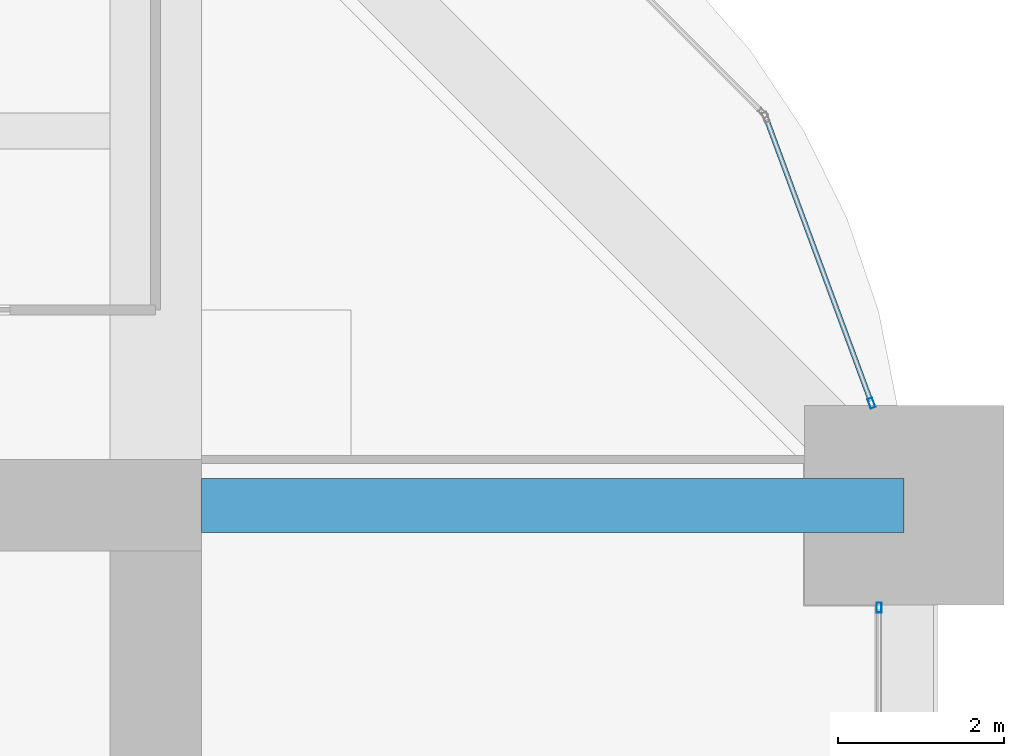
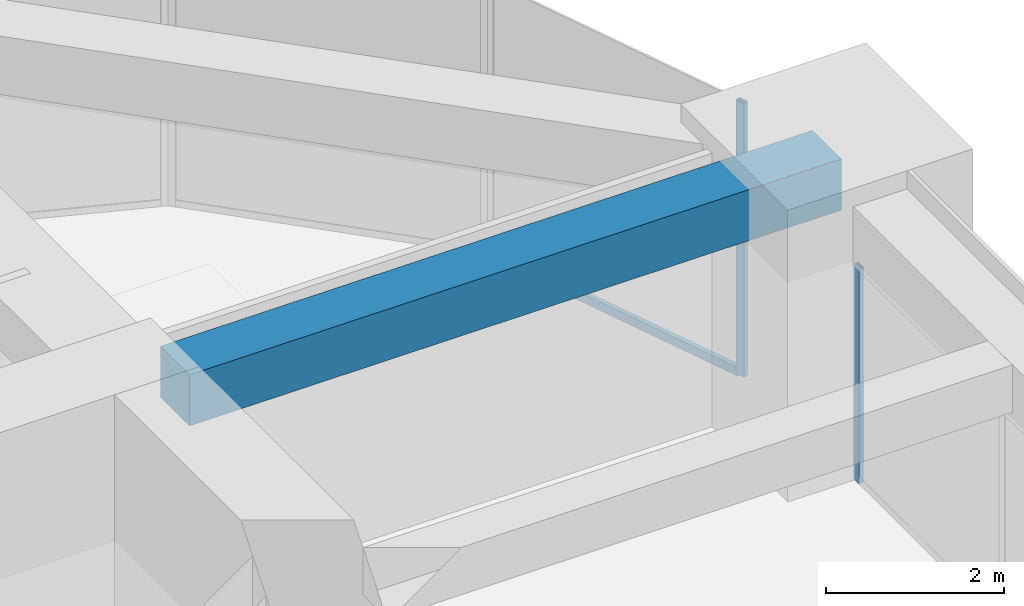
# One storey, part 37 of 45: 3 members, 1 beam, 2 elements without a shape of their own.
"""IFC4 building model written with IfcOpenShell, lengths in metres."""

from ifc_helpers import new_model, si_unit, direction, frame, origin, origin_2d, place, context, subcontext, project, spatial, rectangle, hollow_rectangle, extrude, material, material_profile, profile_set, type_object, element, aggregate, save


model = new_model("IFC4")

# Units and contexts
model_context = context("Model", 3, precision=1e-05, world=origin(), true_north=direction((0.0, 1.0)))
body_context = subcontext(model_context, "Body", "Model", "MODEL_VIEW")
ifc_project = project(units=[si_unit("LENGTHUNIT", "METRE"), si_unit("AREAUNIT", "SQUARE_METRE"), si_unit("VOLUMEUNIT", "CUBIC_METRE"), si_unit("PLANEANGLEUNIT", "RADIAN"), si_unit("MASSUNIT", "GRAM", prefix="KILO")], contexts=[model_context])

# Site, building, storey
site_placement = place(None, origin())
site = spatial("IfcSite", under=ifc_project, at=site_placement, CompositionType="ELEMENT")
building_placement = place(site_placement, origin())
building = spatial("IfcBuilding", under=site, at=building_placement, Name="Zorevar Civic Tower", CompositionType="ELEMENT")
storey_placement = place(building_placement, frame((0.0, 0.0, 247.39990234375)))
storey = spatial("IfcBuildingStorey", under=building, at=storey_placement, Name="L60", CompositionType="ELEMENT", Elevation=247.39990234375)

# Beam
ifc_material_1 = material(Name="Concrete C50/60", Category="concrete")
ifc_material_profile_1 = material_profile(ifc_material_1, rectangle(XDim=0.64990234375, YDim=0.699951171875, at=origin_2d()), Name="RC 650x700")
ifc_profile_set_1 = profile_set([ifc_material_profile_1], Name="Concrete C50/60")
beam_type = type_object("IfcBeamType", Name="Beam RC 650x700", PredefinedType="BEAM", material=ifc_profile_set_1)
beam_placement = place(storey_placement, frame((45.550048828125, 36.0, 3.400146484375), z_axis=(1.0, 0.0, 0.0), x_axis=(0.0, 1.0, 0.0)))
element("IfcBeam", 1, at=beam_placement, inside=storey, type_object=beam_type, Name="Girder L61", PredefinedType="BEAM", context=body_context, shape_type="SweptSolid", body=[
    extrude(rectangle(XDim=0.64990234375, YDim=0.699951171875, at=origin_2d()), origin(), (0.0, 0.0, 1.0), 8.449951171875),
])

# Curtain wall, member
ifc_material_2 = material(Name="Dark grey solar-control glass in black aluminium frame", Category="aluminium")
curtain_wall_type = type_object("IfcCurtainWallType", Name="Curtain wall CW5 top zone", PredefinedType="NOTDEFINED", material=ifc_material_2)
curtain_wall_1_placement = place(storey_placement, origin())
curtain_wall_1 = element("IfcCurtainWall", 2, at=curtain_wall_1_placement, inside=storey, type_object=curtain_wall_type, Name="CW5 L60", PredefinedType="NOTDEFINED")
ifc_material_3 = material(Name="Aluminium, black anodised", Category="aluminium")
ifc_material_profile_2 = material_profile(ifc_material_3, hollow_rectangle(XDim=0.06005859375, YDim=0.1201171875, WallThickness=0.0029296875, at=origin_2d()), Name="AL 120x60x3")
ifc_profile_set_2 = profile_set([ifc_material_profile_2], Name="Aluminium, black anodised")
member_type_1 = type_object("IfcMemberType", Name="CW5 mullion AL 120x60x3", PredefinedType="MULLION", material=ifc_profile_set_2)
member_1_placement = place(storey_placement, frame((53.699951171875, 34.77001953125, 0.0), z_axis=(0.0, 0.0, 1.0), x_axis=(-1.0, 0.0, 0.0)))
member_1 = element("IfcMember", 3, at=member_1_placement, type_object=member_type_1, Name="CW5 mullion 3", PredefinedType="MULLION", context=body_context, shape_type="SweptSolid", body=[
    extrude(hollow_rectangle(XDim=0.06005859375, YDim=0.1201171875, WallThickness=0.0029296875, at=origin_2d()), origin(), (0.0, 0.0, 1.0), 2.9501953125),
])
aggregate(curtain_wall_1, [member_1])

# Curtain wall, members
curtain_wall_2_placement = place(storey_placement, origin())
curtain_wall_2 = element("IfcCurtainWall", 4, at=curtain_wall_2_placement, inside=storey, type_object=curtain_wall_type, Name="CW5 L60", PredefinedType="NOTDEFINED")
member_2_placement = place(storey_placement, frame((53.6064453125, 37.22802734375, 0.0), z_axis=(0.0, 0.0, 1.0), x_axis=(-0.937974588163, -0.346704012033, 0.0)))
member_2 = element("IfcMember", 5, at=member_2_placement, type_object=member_type_1, Name="CW5 mullion 1", PredefinedType="MULLION", context=body_context, shape_type="SweptSolid", body=[
    extrude(hollow_rectangle(XDim=0.06005859375, YDim=0.1201171875, WallThickness=0.0029296875, at=origin_2d()), origin(), (0.0, 0.0, 1.0), 3.75),
])
ifc_material_4 = material(Name="Aluminium, black anodised", Category="aluminium")
ifc_material_profile_3 = material_profile(ifc_material_4, hollow_rectangle(XDim=0.06005859375, YDim=0.1201171875, WallThickness=0.0029296875, at=origin_2d()), Name="AL 120x60x3")
ifc_profile_set_3 = profile_set([ifc_material_profile_3], Name="Aluminium, black anodised")
member_type_2 = type_object("IfcMemberType", Name="CW5 transom AL 120x60x3", PredefinedType="USERDEFINED", material=ifc_profile_set_3)
member_3_placement = place(storey_placement, frame((53.595947265625, 37.25634765625, 0.030029296875), z_axis=(-0.346672169799, 0.93798635741, 0.0), x_axis=(-0.93798635741, -0.346672169799, 0.0)))
member_3 = element("IfcMember", 6, at=member_3_placement, type_object=member_type_2, Name="CW5 sill transom", ObjectType="TRANSOM", PredefinedType="USERDEFINED", context=body_context, shape_type="SweptSolid", body=[
    extrude(hollow_rectangle(XDim=0.06005859375, YDim=0.1201171875, WallThickness=0.0029296875, at=origin_2d()), origin(), (0.0, 0.0, 1.0), 3.603515625),
])
aggregate(curtain_wall_2, [member_2, member_3])

save(model, "model.ifc")
